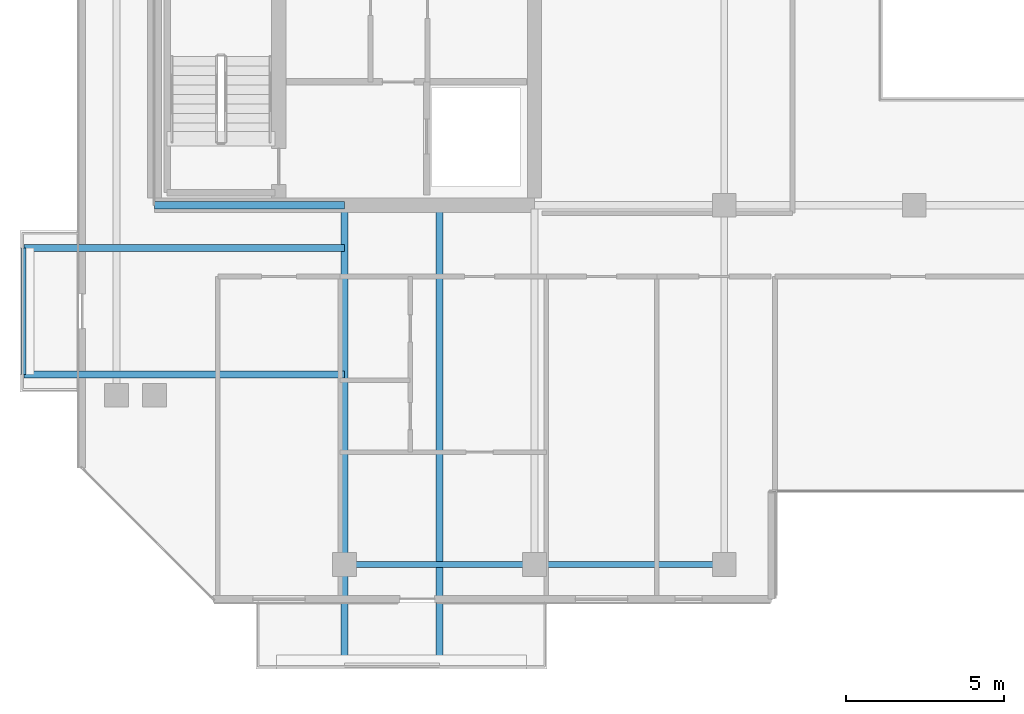
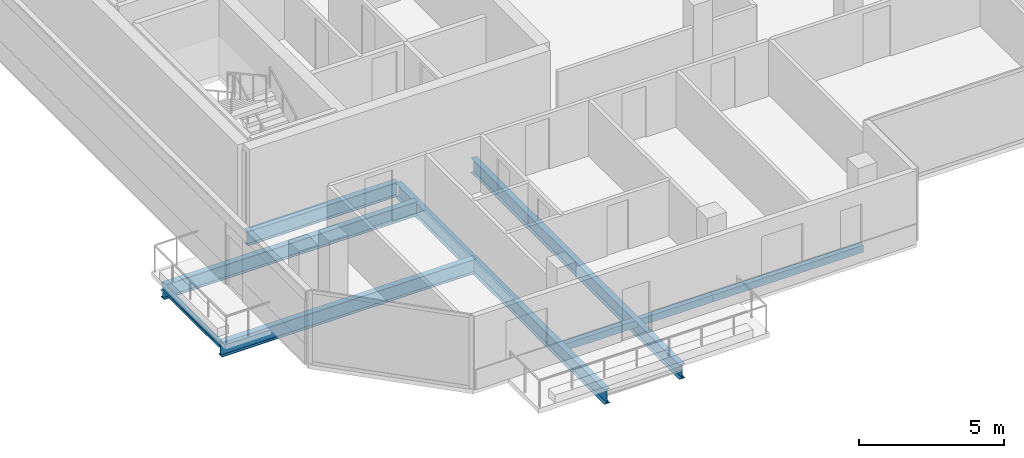
# One storey, part 3 of 28: 8 beams.
"""IFC4 building model written with IfcOpenShell, lengths in metres."""

from ifc_helpers import new_model, si_unit, direction, frame, origin, origin_2d, place, context, subcontext, project, spatial, hollow_rectangle, i_section, extrude, material, material_profile, profile_set, type_object, element, save


model = new_model("IFC4")

# Units and contexts
model_context = context("Model", 3, precision=1e-05, world=origin(), true_north=direction((0.0, 1.0)))
body_context = subcontext(model_context, "Body", "Model", "MODEL_VIEW")
ifc_project = project(units=[si_unit("LENGTHUNIT", "METRE"), si_unit("AREAUNIT", "SQUARE_METRE"), si_unit("VOLUMEUNIT", "CUBIC_METRE"), si_unit("PLANEANGLEUNIT", "RADIAN"), si_unit("MASSUNIT", "GRAM", prefix="KILO")], contexts=[model_context])

# Site, building, storey
site_placement = place(None, origin())
site = spatial("IfcSite", under=ifc_project, at=site_placement, CompositionType="ELEMENT")
building_placement = place(site_placement, origin())
building = spatial("IfcBuilding", under=site, at=building_placement, Name="Tanjung Sevakor Pilgrim Tower", CompositionType="ELEMENT")
storey_placement = place(building_placement, frame((0.0, 0.0, 222.75)))
storey = spatial("IfcBuildingStorey", under=building, at=storey_placement, Name="L62", CompositionType="ELEMENT", Elevation=222.75)

# Beams
ifc_material_1 = material(Name="Steel S355J2", Category="steel")
ifc_material_profile_1 = material_profile(ifc_material_1, i_section(OverallWidth=0.22900390625, OverallDepth=0.6123046875, WebThickness=0.011962890625, FlangeThickness=0.01953125, FilletRadius=0.0126953125, at=origin_2d()))
ifc_profile_set_1 = profile_set([ifc_material_profile_1], Name="Steel S355J2")
beam_type_1 = type_object("IfcBeamType", Name="BM-B-G4-UB_610x229x125", PredefinedType="BEAM", material=ifc_profile_set_1)
for number, where, z_axis, x_axis, name in (
    (1, (30.0, 19.25, -0.526123046875), (-1.0, 0.0, 0.0), (0.0, -1.0, 0.0), "L62 Balcony Overhanging Beam MAIN-W1-1"),
    (2, (30.0, 23.25, -0.526123046875), (-1.0, 0.0, 0.0), (0.0, -1.0, 0.0), "L62 Balcony Overhanging Beam MAIN-W1-2"),
):
    element("IfcBeam", number, at=place(storey_placement, frame(where, z_axis=z_axis, x_axis=x_axis)), inside=storey, type_object=beam_type_1, Name=name, PredefinedType="BEAM", context=body_context, shape_type="SweptSolid", body=[
        extrude(i_section(OverallWidth=0.22900390625, OverallDepth=0.6123046875, WebThickness=0.011962890625, FlangeThickness=0.01953125, FilletRadius=0.0126953125, at=origin_2d()), origin(), (0.0, 0.0, 1.0), 10.1298828125),
    ])
beam_1_placement = place(storey_placement, frame((24.0, 24.60009765625, -0.526123046875), z_axis=(1.0, 0.0, 0.0), x_axis=(0.0, 1.0, 0.0)))
element("IfcBeam", 3, at=beam_1_placement, inside=storey, type_object=beam_type_1, Name="L62 Primary Floor Girder MAIN Y246-01", PredefinedType="BEAM", context=body_context, shape_type="SweptSolid", body=[
    extrude(i_section(OverallWidth=0.22900390625, OverallDepth=0.6123046875, WebThickness=0.011962890625, FlangeThickness=0.01953125, FilletRadius=0.0126953125, at=origin_2d()), origin(), (0.0, 0.0, 1.0), 6.0),
])
for number, where, z_axis, x_axis, name in (
    (4, (30.0, 24.485595703125, -0.526123046875), (0.0, -1.0, 0.0), (1.0, 0.0, 0.0), "L62 Balcony Cantilever Beam MAIN-S1-1"),
    (5, (33.0, 24.485595703125, -0.526123046875), (0.0, -1.0, 0.0), (1.0, 0.0, 0.0), "L62 Balcony Cantilever Beam MAIN-S1-2"),
):
    element("IfcBeam", number, at=place(storey_placement, frame(where, z_axis=z_axis, x_axis=x_axis)), inside=storey, type_object=beam_type_1, Name=name, PredefinedType="BEAM", context=body_context, shape_type="SweptSolid", body=[
        extrude(i_section(OverallWidth=0.22900390625, OverallDepth=0.6123046875, WebThickness=0.011962890625, FlangeThickness=0.01953125, FilletRadius=0.0126953125, at=origin_2d()), origin(), (0.0, 0.0, 1.0), 14.41552734375),
    ])
ifc_material_2 = material(Name="Steel S355J2", Category="steel")
ifc_material_profile_2 = material_profile(ifc_material_2, i_section(OverallWidth=0.146484375, OverallDepth=0.256103515625, WebThickness=0.00634765625, FlangeThickness=0.010986328125, FilletRadius=0.007568359375, at=origin_2d()))
ifc_profile_set_2 = profile_set([ifc_material_profile_2], Name="Steel S355J2")
beam_type_2 = type_object("IfcBeamType", Name="BM-B-J6-UB_254x146x37", PredefinedType="JOIST", material=ifc_profile_set_2)
beam_2_placement = place(storey_placement, frame((19.8701171875, 19.25, -0.327880859375), z_axis=(0.0, 1.0, 0.0), x_axis=(-1.0, 0.0, 0.0)))
element("IfcBeam", 6, at=beam_2_placement, inside=storey, type_object=beam_type_2, Name="L62 Balcony Rim Tie MAIN-W1", PredefinedType="JOIST", context=body_context, shape_type="SweptSolid", body=[
    extrude(i_section(OverallWidth=0.146484375, OverallDepth=0.256103515625, WebThickness=0.00634765625, FlangeThickness=0.010986328125, FilletRadius=0.007568359375, at=origin_2d()), origin(), (0.0, 0.0, 1.0), 4.0),
])
ifc_material_3 = material(Name="Steel S355J2", Category="steel")
ifc_material_profile_3 = material_profile(ifc_material_3, hollow_rectangle(XDim=0.199951171875, YDim=0.300048828125, WallThickness=0.012451171875, at=origin_2d()))
ifc_profile_set_3 = profile_set([ifc_material_profile_3], Name="Steel S355J2")
beam_type_3 = type_object("IfcBeamType", Name="BM-B-SP3-RHS_300x200x12.5", PredefinedType="SPANDREL", material=ifc_profile_set_3)
for number, where, z_axis, x_axis, name in (
    (7, (30.0, 13.25, -0.3701171875), (1.0, 0.0, 0.0), (0.0, 1.0, 0.0), "L62 Spandrel MAIN S-01"),
    (8, (36.0, 13.25, -0.3701171875), (1.0, 0.0, 0.0), (0.0, 1.0, 0.0), "L62 Spandrel MAIN S-03"),
):
    element("IfcBeam", number, at=place(storey_placement, frame(where, z_axis=z_axis, x_axis=x_axis)), inside=storey, type_object=beam_type_3, Name=name, PredefinedType="SPANDREL", context=body_context, shape_type="SweptSolid", body=[
        extrude(hollow_rectangle(XDim=0.199951171875, YDim=0.300048828125, WallThickness=0.012451171875, at=origin_2d()), origin(), (0.0, 0.0, 1.0), 6.0),
    ])

save(model, "model.ifc")
